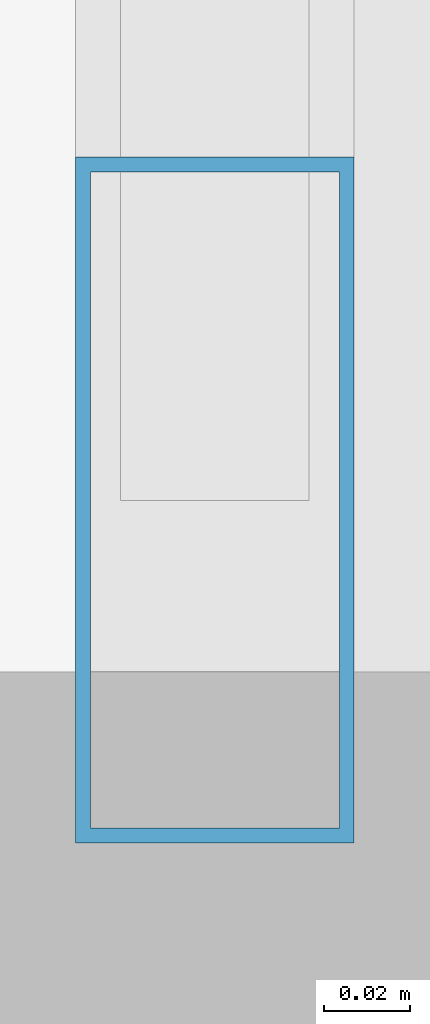
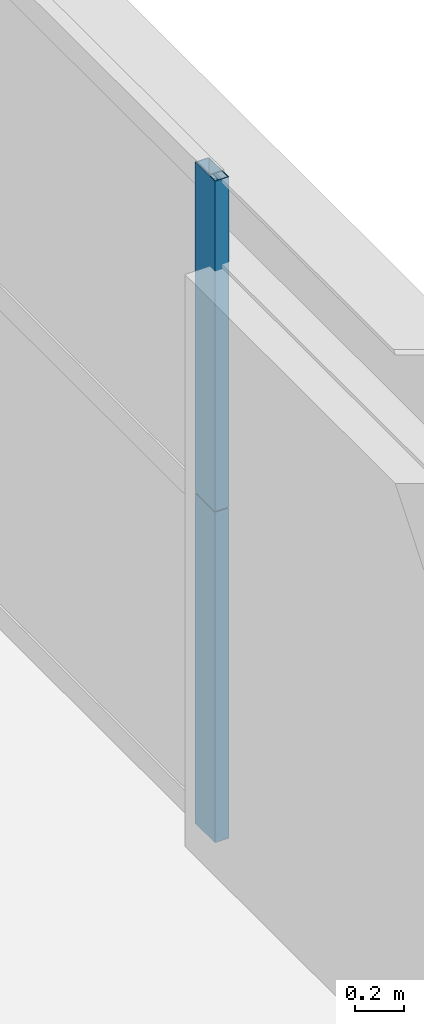
# One storey, part 22 of 45: 2 members, 1 element without a shape of its own.
"""IFC4 building model written with IfcOpenShell, lengths in metres."""

from ifc_helpers import new_model, si_unit, direction, frame, origin, origin_2d, place, context, subcontext, project, spatial, hollow_rectangle, extrude, source, transform, mapped, material, layer, layer_set, material_profile, profile_set, type_object, element, aggregate, save


model = new_model("IFC4")

# Units and contexts
model_context = context("Model", 3, precision=1e-05, world=origin(), true_north=direction((0.0, 1.0)))
body_context = subcontext(model_context, "Body", "Model", "MODEL_VIEW")
ifc_project = project(units=[si_unit("LENGTHUNIT", "METRE"), si_unit("AREAUNIT", "SQUARE_METRE"), si_unit("VOLUMEUNIT", "CUBIC_METRE"), si_unit("PLANEANGLEUNIT", "RADIAN"), si_unit("MASSUNIT", "GRAM", prefix="KILO"), si_unit("THERMODYNAMICTEMPERATUREUNIT", "KELVIN"), si_unit("POWERUNIT", "WATT")], contexts=[model_context])

# Site, building, storey
site_placement = place(None, origin())
site = spatial("IfcSite", under=ifc_project, at=site_placement, CompositionType="ELEMENT")
building_placement = place(site_placement, origin())
building = spatial("IfcBuilding", under=site, at=building_placement, Name="Yuzanri Waterfront Tower", CompositionType="ELEMENT")
storey_placement = place(building_placement, frame((0.0, 0.0, 191.5)))
storey = spatial("IfcBuildingStorey", under=building, at=storey_placement, Name="L50", CompositionType="ELEMENT", Elevation=191.5)

# Curtain wall, members
ifc_material_1 = material(Name="Anodized Architectural Bronze", Category="metal")
ifc_layer = layer(ifc_material_1, 0.159912109375)
ifc_layer_set = layer_set([ifc_layer], Name="Anodized Architectural Bronze")
curtain_wall_type = type_object("IfcCurtainWallType", Name="Anodized Bronze Mid-Rise Residential Acoustic Unitized Curtain Wall 7200", PredefinedType="NOTDEFINED", material=ifc_layer_set)
curtain_wall_placement = place(storey_placement, origin())
curtain_wall = element("IfcCurtainWall", 1, at=curtain_wall_placement, inside=storey, type_object=curtain_wall_type, Name="L50 Curtain Wall CW-L50-EL", PredefinedType="NOTDEFINED")
ifc_material_2 = material(Name="Anodized Architectural Bronze", Category="metal")
ifc_material_profile = material_profile(ifc_material_2, hollow_rectangle(XDim=0.06494140625, YDim=0.159912109375, WallThickness=0.00341796875, at=origin_2d()), Name="CWM 65x160")
ifc_profile_set = profile_set([ifc_material_profile], Name="Anodized Architectural Bronze")
member_type = type_object("IfcMemberType", Name="Anodized Bronze Upper-Zone Curtain-Wall Mullion 65x160", PredefinedType="MULLION", material=ifc_profile_set)
shared_shape = source(origin(), body_context, "Body", "SweptSolid", [
    extrude(hollow_rectangle(XDim=0.06494140625, YDim=0.159912109375, WallThickness=0.00341796875, at=origin_2d()), origin(), (0.0, 0.0, 1.0), 1.637939453125),
])
member_1_placement = place(storey_placement, frame((58.949951171875, 11.090087890625, 0.0), z_axis=(0.0, 0.0, 1.0), x_axis=(1.0, 0.0, 0.0)))
member_1 = element("IfcMember", 2, at=member_1_placement, type_object=member_type, Name="CW-L50-EL Lower Mullion 00", PredefinedType="MULLION", context=body_context, shape_type="MappedRepresentation", body=[
    mapped(shared_shape, transform((0.0, 0.0, 0.0), scale=1.0)),
])
member_2_placement = place(storey_placement, frame((58.949951171875, 11.090087890625, 1.64208984375), z_axis=(0.0, 0.0, 1.0), x_axis=(1.0, 0.0, 0.0)))
member_2 = element("IfcMember", 3, at=member_2_placement, type_object=member_type, Name="CW-L50-EL Upper Mullion 00", PredefinedType="MULLION", context=body_context, shape_type="MappedRepresentation", body=[
    mapped(shared_shape, transform((0.0, 0.0, 0.0), scale=1.0)),
])
aggregate(curtain_wall, [member_1, member_2])

save(model, "model.ifc")
